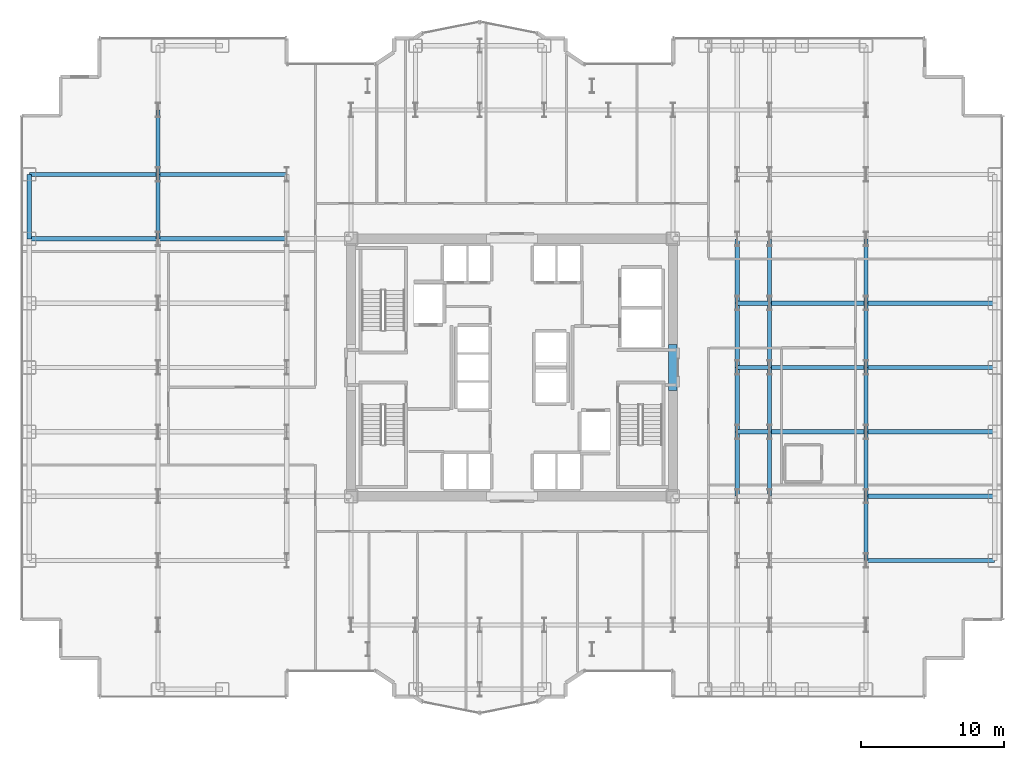
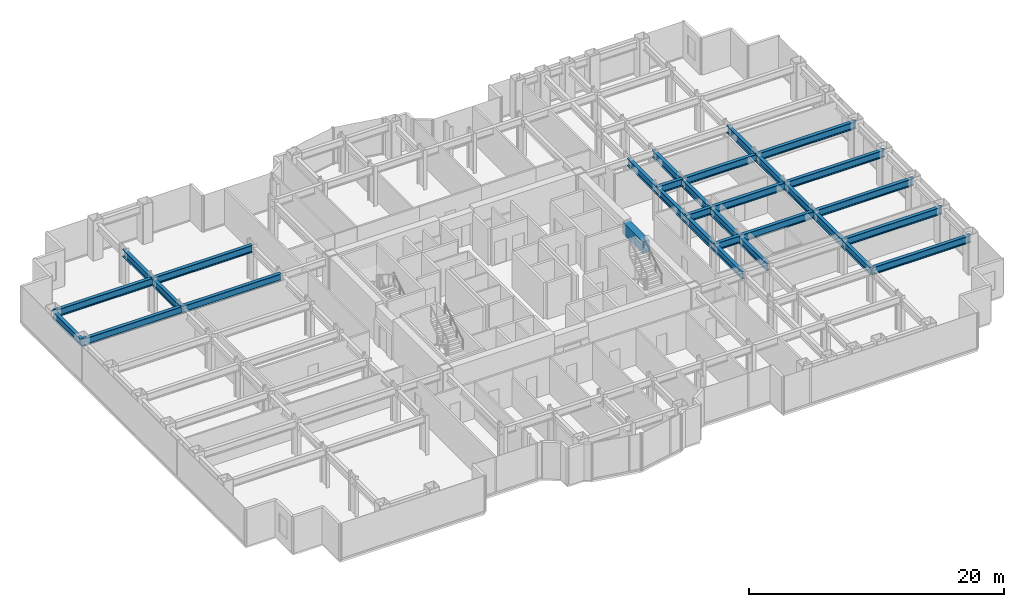
# One storey, part 8 of 26: 32 beams.
"""IFC4 building model written with IfcOpenShell, lengths in metres."""

from ifc_helpers import new_model, si_unit, direction, frame, origin, origin_2d, place, context, subcontext, project, spatial, rectangle, i_section, extrude, source, transform, mapped, material, material_profile, profile_set, type_object, element, save


model = new_model("IFC4")

# Units and contexts
model_context = context("Model", 3, precision=1e-05, world=origin(), true_north=direction((0.0, 1.0)))
body_context = subcontext(model_context, "Body", "Model", "MODEL_VIEW")
ifc_project = project(units=[si_unit("LENGTHUNIT", "METRE"), si_unit("AREAUNIT", "SQUARE_METRE"), si_unit("VOLUMEUNIT", "CUBIC_METRE"), si_unit("PLANEANGLEUNIT", "RADIAN"), si_unit("MASSUNIT", "GRAM", prefix="KILO")], contexts=[model_context])

# Site, building, storey
site_placement = place(None, origin())
site = spatial("IfcSite", under=ifc_project, at=site_placement, CompositionType="ELEMENT")
building_placement = place(site_placement, origin())
building = spatial("IfcBuilding", under=site, at=building_placement, Name="Nefas-Gora Pilgrimage Tower", CompositionType="ELEMENT")
storey_placement = place(building_placement, frame((0.0, 0.0, 82.39990234375)))
storey = spatial("IfcBuildingStorey", under=building, at=storey_placement, Name="L19", CompositionType="ELEMENT", Elevation=82.39990234375)

# Beams
ifc_material_1 = material(Name="Concrete C60/75", Category="concrete")
ifc_material_profile_1 = material_profile(ifc_material_1, rectangle(XDim=0.60009765625, YDim=1.10009765625, at=origin_2d()), Name="RC 600x1100")
ifc_profile_set_1 = profile_set([ifc_material_profile_1], Name="Concrete C60/75")
beam_type_1 = type_object("IfcBeamType", Name="BM-LIN-RC1100", PredefinedType="LINTEL", material=ifc_profile_set_1)
shared_shape_1 = source(origin(), body_context, "Body", "SweptSolid", [
    extrude(rectangle(XDim=0.60009765625, YDim=1.10009765625, at=origin_2d()), origin(), (0.0, 0.0, 1.0), 3.2001953125),
])
beam_1_placement = place(storey_placement, frame((11.25, -1.60009765625, 2.9501953125), z_axis=(0.0, 1.0, 0.0), x_axis=(-1.0, 0.0, 0.0)))
element("IfcBeam", 1, at=beam_1_placement, inside=storey, type_object=beam_type_1, Name="L19 Core Coupling Lintel Beam E", PredefinedType="LINTEL", context=body_context, shape_type="MappedRepresentation", body=[
    mapped(shared_shape_1, transform((0.0, 0.0, 0.0), x_axis=(1.0, 0.0, 0.0), y_axis=(0.0, 1.0, 0.0), z_axis=(0.0, 0.0, 1.0), scale=1.0)),
])
ifc_material_2 = material(Name="Steel S355", Category="steel")
ifc_material_profile_2 = material_profile(ifc_material_2, i_section(OverallWidth=0.300048828125, OverallDepth=0.699951171875, WebThickness=0.01708984375, FlangeThickness=0.031982421875, FilletRadius=0.027099609375, at=origin_2d()), Name="HEB 700")
ifc_profile_set_2 = profile_set([ifc_material_profile_2], Name="Steel S355")
beam_type_2 = type_object("IfcBeamType", Name="BM-SPN-HEB600", PredefinedType="SPANDREL", material=ifc_profile_set_2)
shared_shape_2 = source(origin(), body_context, "Body", "SweptSolid", [
    extrude(i_section(OverallWidth=0.300048828125, OverallDepth=0.699951171875, WebThickness=0.01708984375, FlangeThickness=0.031982421875, FilletRadius=0.027099609375, at=origin_2d()), origin(), (0.0, 0.0, 1.0), 4.5),
])
beam_2_placement = place(storey_placement, frame((-33.75, 9.0, 3.150146484375), z_axis=(0.0, 1.0, 0.0), x_axis=(-1.0, 0.0, 0.0)))
element("IfcBeam", 2, at=beam_2_placement, inside=storey, type_object=beam_type_2, Name="L19 SP-01 beam", PredefinedType="SPANDREL", context=body_context, shape_type="MappedRepresentation", body=[
    mapped(shared_shape_2, transform((0.0, 0.0, 0.0), x_axis=(1.0, 0.0, 0.0), y_axis=(0.0, 1.0, 0.0), z_axis=(0.0, 0.0, 1.0), scale=1.0)),
])
ifc_material_profile_3 = material_profile(ifc_material_2, i_section(OverallWidth=0.300048828125, OverallDepth=0.699951171875, WebThickness=0.01708984375, FlangeThickness=0.031982421875, FilletRadius=0.027099609375, at=origin_2d()), Name="HEB 700")
ifc_profile_set_3 = profile_set([ifc_material_profile_3], Name="Steel S355")
beam_type_3 = type_object("IfcBeamType", Name="BM-GIR-HEB700", PredefinedType="BEAM", material=ifc_profile_set_3)
shared_shape_3 = source(origin(), body_context, "Body", "SweptSolid", [
    extrude(i_section(OverallWidth=0.300048828125, OverallDepth=0.699951171875, WebThickness=0.01708984375, FlangeThickness=0.031982421875, FilletRadius=0.027099609375, at=origin_2d()), origin(), (0.0, 0.0, 1.0), 9.0),
])
for number, where, z_axis, x_axis, name in (
    (3, (-33.75, 9.0, 3.150146484375), (1.0, 0.0, 0.0), (0.0, 1.0, 0.0), "L19 G-02 beam"),
    (4, (-33.75, 13.5, 3.150146484375), (1.0, 0.0, 0.0), (0.0, 1.0, 0.0), "L19 G-02 beam"),
    (5, (-24.75, 9.0, 3.150146484375), (1.0, 0.0, 0.0), (0.0, 1.0, 0.0), "L19 G-02 beam"),
    (6, (-24.75, 13.5, 3.150146484375), (1.0, 0.0, 0.0), (0.0, 1.0, 0.0), "L19 G-02 beam"),
    (7, (24.75, -13.5, 3.150146484375), (1.0, 0.0, 0.0), (0.0, 1.0, 0.0), "L19 G-02 beam"),
    (8, (24.75, -9.0, 3.150146484375), (1.0, 0.0, 0.0), (0.0, 1.0, 0.0), "L19 G-02 beam"),
    (9, (24.75, -4.5, 3.150146484375), (1.0, 0.0, 0.0), (0.0, 1.0, 0.0), "L19 G-02 beam"),
    (10, (24.75, 0.0, 3.150146484375), (1.0, 0.0, 0.0), (0.0, 1.0, 0.0), "L19 G-02 beam"),
    (11, (24.75, 4.5, 3.150146484375), (1.0, 0.0, 0.0), (0.0, 1.0, 0.0), "L19 G-02 beam"),
):
    element("IfcBeam", number, at=place(storey_placement, frame(where, z_axis=z_axis, x_axis=x_axis)), inside=storey, type_object=beam_type_3, Name=name, PredefinedType="BEAM", context=body_context, shape_type="MappedRepresentation", body=[
        mapped(shared_shape_3, transform((0.0, 0.0, 0.0), x_axis=(1.0, 0.0, 0.0), y_axis=(0.0, 1.0, 0.0), z_axis=(0.0, 0.0, 1.0), scale=1.0)),
    ])
shared_shape_4 = source(origin(), body_context, "Body", "SweptSolid", [
    extrude(i_section(OverallWidth=0.300048828125, OverallDepth=0.699951171875, WebThickness=0.01708984375, FlangeThickness=0.031982421875, FilletRadius=0.027099609375, at=origin_2d()), origin(), (0.0, 0.0, 1.0), 4.5),
])
for number, where, z_axis, x_axis, name in (
    (12, (-24.75, 9.0, 3.150146484375), (0.0, 1.0, 0.0), (-1.0, 0.0, 0.0), "L19 G-02 beam"),
    (13, (-24.75, 13.5, 3.150146484375), (0.0, 1.0, 0.0), (-1.0, 0.0, 0.0), "L19 G-02 beam"),
    (14, (15.75, -9.0, 3.150146484375), (0.0, 1.0, 0.0), (-1.0, 0.0, 0.0), "L19 G-02 beam"),
    (15, (15.75, -4.5, 3.150146484375), (0.0, 1.0, 0.0), (-1.0, 0.0, 0.0), "L19 G-02 beam"),
    (16, (15.75, 0.0, 3.150146484375), (0.0, 1.0, 0.0), (-1.0, 0.0, 0.0), "L19 G-02 beam"),
    (17, (15.75, 4.5, 3.150146484375), (0.0, 1.0, 0.0), (-1.0, 0.0, 0.0), "L19 G-02 beam"),
    (18, (18.0, -9.0, 3.150146484375), (0.0, 1.0, 0.0), (-1.0, 0.0, 0.0), "L19 G-02 beam"),
    (19, (18.0, -4.5, 3.150146484375), (0.0, 1.0, 0.0), (-1.0, 0.0, 0.0), "L19 G-02 beam"),
    (20, (18.0, 0.0, 3.150146484375), (0.0, 1.0, 0.0), (-1.0, 0.0, 0.0), "L19 G-02 beam"),
    (21, (18.0, 4.5, 3.150146484375), (0.0, 1.0, 0.0), (-1.0, 0.0, 0.0), "L19 G-02 beam"),
    (22, (24.75, -13.5, 3.150146484375), (0.0, 1.0, 0.0), (-1.0, 0.0, 0.0), "L19 G-02 beam"),
    (23, (24.75, -9.0, 3.150146484375), (0.0, 1.0, 0.0), (-1.0, 0.0, 0.0), "L19 G-02 beam"),
    (24, (24.75, -4.5, 3.150146484375), (0.0, 1.0, 0.0), (-1.0, 0.0, 0.0), "L19 G-02 beam"),
    (25, (24.75, 0.0, 3.150146484375), (0.0, 1.0, 0.0), (-1.0, 0.0, 0.0), "L19 G-02 beam"),
    (26, (24.75, 4.5, 3.150146484375), (0.0, 1.0, 0.0), (-1.0, 0.0, 0.0), "L19 G-02 beam"),
):
    element("IfcBeam", number, at=place(storey_placement, frame(where, z_axis=z_axis, x_axis=x_axis)), inside=storey, type_object=beam_type_3, Name=name, PredefinedType="BEAM", context=body_context, shape_type="MappedRepresentation", body=[
        mapped(shared_shape_4, transform((0.0, 0.0, 0.0), x_axis=(1.0, 0.0, 0.0), y_axis=(0.0, 1.0, 0.0), z_axis=(0.0, 0.0, 1.0), scale=1.0)),
    ])
shared_shape_5 = source(origin(), body_context, "Body", "SweptSolid", [
    extrude(i_section(OverallWidth=0.300048828125, OverallDepth=0.699951171875, WebThickness=0.01708984375, FlangeThickness=0.031982421875, FilletRadius=0.027099609375, at=origin_2d()), origin(), (0.0, 0.0, 1.0), 6.75),
])
for number, where, z_axis, x_axis, name in (
    (27, (18.0, -4.5, 3.150146484375), (1.0, 0.0, 0.0), (0.0, 1.0, 0.0), "L19 G-02 beam"),
    (28, (18.0, 0.0, 3.150146484375), (1.0, 0.0, 0.0), (0.0, 1.0, 0.0), "L19 G-02 beam"),
    (29, (18.0, 4.5, 3.150146484375), (1.0, 0.0, 0.0), (0.0, 1.0, 0.0), "L19 G-02 beam"),
):
    element("IfcBeam", number, at=place(storey_placement, frame(where, z_axis=z_axis, x_axis=x_axis)), inside=storey, type_object=beam_type_3, Name=name, PredefinedType="BEAM", context=body_context, shape_type="MappedRepresentation", body=[
        mapped(shared_shape_5, transform((0.0, 0.0, 0.0), x_axis=(1.0, 0.0, 0.0), y_axis=(0.0, 1.0, 0.0), z_axis=(0.0, 0.0, 1.0), scale=1.0)),
    ])
shared_shape_6 = source(origin(), body_context, "Body", "SweptSolid", [
    extrude(i_section(OverallWidth=0.300048828125, OverallDepth=0.699951171875, WebThickness=0.01708984375, FlangeThickness=0.031982421875, FilletRadius=0.027099609375, at=origin_2d()), origin(), (0.0, 0.0, 1.0), 2.25),
])
for number, where, z_axis, x_axis, name in (
    (30, (15.75, -4.5, 3.150146484375), (1.0, 0.0, 0.0), (0.0, 1.0, 0.0), "L19 G-02 beam"),
    (31, (15.75, 0.0, 3.150146484375), (1.0, 0.0, 0.0), (0.0, 1.0, 0.0), "L19 G-02 beam"),
    (32, (15.75, 4.5, 3.150146484375), (1.0, 0.0, 0.0), (0.0, 1.0, 0.0), "L19 G-02 beam"),
):
    element("IfcBeam", number, at=place(storey_placement, frame(where, z_axis=z_axis, x_axis=x_axis)), inside=storey, type_object=beam_type_3, Name=name, PredefinedType="BEAM", context=body_context, shape_type="MappedRepresentation", body=[
        mapped(shared_shape_6, transform((0.0, 0.0, 0.0), x_axis=(1.0, 0.0, 0.0), y_axis=(0.0, 1.0, 0.0), z_axis=(0.0, 0.0, 1.0), scale=1.0)),
    ])

save(model, "model.ifc")
